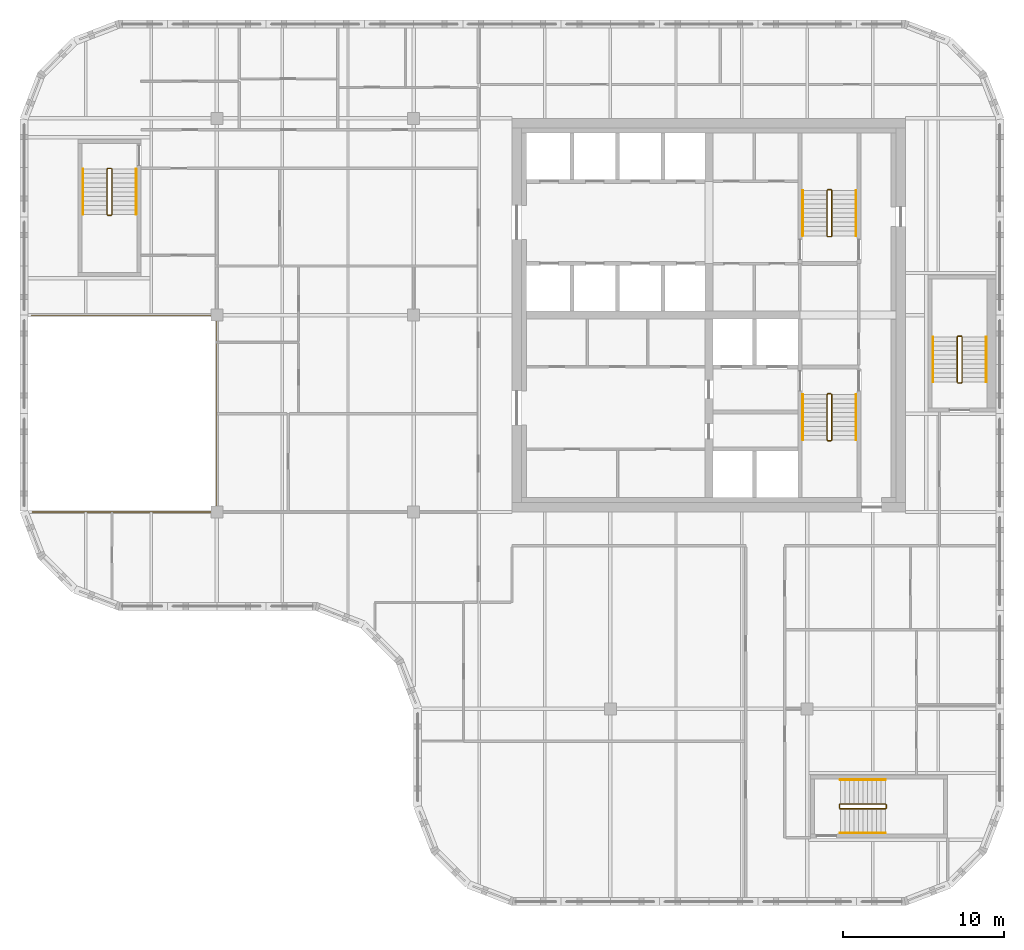
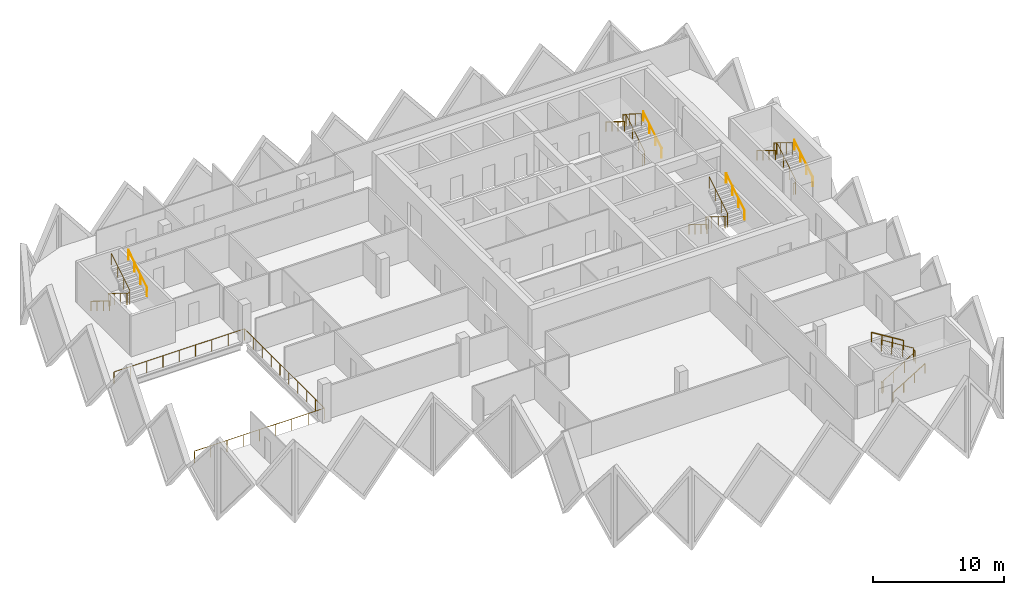
# One storey, part 11 of 11: 16 railings.
"""IFC4 building model written with IfcOpenShell, lengths in metres."""

from ifc_helpers import new_model, si_unit, direction, frame, origin, origin_2d, place, context, subcontext, project, spatial, circle, extrude, material, type_object, element, save


model = new_model("IFC4")

# Units and contexts
model_context = context("Model", 3, precision=1e-05, world=origin(), true_north=direction((0.0, 1.0)))
body_context = subcontext(model_context, "Body", "Model", "MODEL_VIEW")
ifc_project = project(units=[si_unit("LENGTHUNIT", "METRE"), si_unit("AREAUNIT", "SQUARE_METRE"), si_unit("VOLUMEUNIT", "CUBIC_METRE"), si_unit("PLANEANGLEUNIT", "RADIAN"), si_unit("MASSUNIT", "GRAM", prefix="KILO")], contexts=[model_context])

# Site, building, storey
site_placement = place(None, origin())
site = spatial("IfcSite", under=ifc_project, at=site_placement, CompositionType="ELEMENT")
building_placement = place(site_placement, origin())
building = spatial("IfcBuilding", under=site, at=building_placement, Name="Tessera Gate Towers", CompositionType="ELEMENT")
storey_placement = place(building_placement, frame((0.0, 0.0, 170.60009765625)))
storey = spatial("IfcBuildingStorey", under=building, at=storey_placement, Name="L42", CompositionType="ELEMENT", Elevation=170.60009765625)

# Railings
ifc_material_1 = material(Name="Toughened glass with stainless steel handrail", Category="steel")
railing_type_1 = type_object("IfcRailingType", Name="GUARD 1100 GLASS BALUSTRADE", PredefinedType="GUARDRAIL", material=ifc_material_1)
railing_1_placement = place(storey_placement, frame((0.750244140625, 24.39990234375, 0.0)))
element("IfcRailing", 1, at=railing_1_placement, inside=storey, type_object=railing_type_1, Name="Guard", PredefinedType="GUARDRAIL", context=body_context, shape_type="SweptSolid", body=[
    extrude(circle(Radius=0.02490234375, at=origin_2d()), frame((0.0, 0.0, 1.0751953125), z_axis=(1.0, 0.0, 0.0), x_axis=(0.0, 1.0, 0.0)), (0.0, 0.0, 1.0), 11.44970703125),
    extrude(circle(Radius=0.02490234375, at=origin_2d()), frame((11.44970703125, 0.0, 1.0751953125), z_axis=(0.0, 1.0, 0.0), x_axis=(-1.0, 0.0, 0.0)), (0.0, 0.0, 1.0), 12.2001953125),
    extrude(circle(Radius=0.02490234375, at=origin_2d()), frame((11.44970703125, 12.2001953125, 1.0751953125), z_axis=(-1.0, 0.0, 0.0), x_axis=(0.0, -1.0, 0.0)), (0.0, 0.0, 1.0), 11.5),
    extrude(circle(Radius=0.02490234375, at=origin_2d()), origin(), (0.0, 0.0, 1.0), 1.050048828125),
    extrude(circle(Radius=0.02490234375, at=origin_2d()), frame((1.43115234375, 0.0, 0.0)), (0.0, 0.0, 1.0), 1.050048828125),
    extrude(circle(Radius=0.02490234375, at=origin_2d()), frame((2.8623046875, 0.0, 0.0)), (0.0, 0.0, 1.0), 1.050048828125),
    extrude(circle(Radius=0.02490234375, at=origin_2d()), frame((4.293701171875, 0.0, 0.0)), (0.0, 0.0, 1.0), 1.050048828125),
    extrude(circle(Radius=0.02490234375, at=origin_2d()), frame((5.724853515625, 0.0, 0.0)), (0.0, 0.0, 1.0), 1.050048828125),
    extrude(circle(Radius=0.02490234375, at=origin_2d()), frame((7.156005859375, 0.0, 0.0)), (0.0, 0.0, 1.0), 1.050048828125),
    extrude(circle(Radius=0.02490234375, at=origin_2d()), frame((8.58740234375, 0.0, 0.0)), (0.0, 0.0, 1.0), 1.050048828125),
    extrude(circle(Radius=0.02490234375, at=origin_2d()), frame((10.0185546875, 0.0, 0.0)), (0.0, 0.0, 1.0), 1.050048828125),
    extrude(circle(Radius=0.02490234375, at=origin_2d()), frame((11.44970703125, 0.0, 0.0)), (0.0, 0.0, 1.0), 1.050048828125),
    extrude(circle(Radius=0.02490234375, at=origin_2d()), frame((11.44970703125, 1.35546875, 0.0)), (0.0, 0.0, 1.0), 1.050048828125),
    extrude(circle(Radius=0.02490234375, at=origin_2d()), frame((11.44970703125, 2.711181640625, 0.0)), (0.0, 0.0, 1.0), 1.050048828125),
    extrude(circle(Radius=0.02490234375, at=origin_2d()), frame((11.44970703125, 4.066650390625, 0.0)), (0.0, 0.0, 1.0), 1.050048828125),
    extrude(circle(Radius=0.02490234375, at=origin_2d()), frame((11.44970703125, 5.42236328125, 0.0)), (0.0, 0.0, 1.0), 1.050048828125),
    extrude(circle(Radius=0.02490234375, at=origin_2d()), frame((11.44970703125, 6.77783203125, 0.0)), (0.0, 0.0, 1.0), 1.050048828125),
    extrude(circle(Radius=0.02490234375, at=origin_2d()), frame((11.44970703125, 8.133544921875, 0.0)), (0.0, 0.0, 1.0), 1.050048828125),
    extrude(circle(Radius=0.02490234375, at=origin_2d()), frame((11.44970703125, 9.489013671875, 0.0)), (0.0, 0.0, 1.0), 1.050048828125),
    extrude(circle(Radius=0.02490234375, at=origin_2d()), frame((11.44970703125, 10.8447265625, 0.0)), (0.0, 0.0, 1.0), 1.050048828125),
    extrude(circle(Radius=0.02490234375, at=origin_2d()), frame((11.44970703125, 12.2001953125, 0.0)), (0.0, 0.0, 1.0), 1.050048828125),
    extrude(circle(Radius=0.02490234375, at=origin_2d()), frame((10.01220703125, 12.2001953125, 0.0)), (0.0, 0.0, 1.0), 1.050048828125),
    extrude(circle(Radius=0.02490234375, at=origin_2d()), frame((8.57470703125, 12.2001953125, 0.0)), (0.0, 0.0, 1.0), 1.050048828125),
    extrude(circle(Radius=0.02490234375, at=origin_2d()), frame((7.13720703125, 12.2001953125, 0.0)), (0.0, 0.0, 1.0), 1.050048828125),
    extrude(circle(Radius=0.02490234375, at=origin_2d()), frame((5.69970703125, 12.2001953125, 0.0)), (0.0, 0.0, 1.0), 1.050048828125),
    extrude(circle(Radius=0.02490234375, at=origin_2d()), frame((4.26220703125, 12.2001953125, 0.0)), (0.0, 0.0, 1.0), 1.050048828125),
    extrude(circle(Radius=0.02490234375, at=origin_2d()), frame((2.82470703125, 12.2001953125, 0.0)), (0.0, 0.0, 1.0), 1.050048828125),
    extrude(circle(Radius=0.02490234375, at=origin_2d()), frame((1.38720703125, 12.2001953125, 0.0)), (0.0, 0.0, 1.0), 1.050048828125),
    extrude(circle(Radius=0.02490234375, at=origin_2d()), frame((-0.05029296875, 12.2001953125, 0.0)), (0.0, 0.0, 1.0), 1.050048828125),
])
ifc_material_2 = material(Name="Steel 350W", Category="steel")
railing_type_2 = type_object("IfcRailingType", Name="STAIR GUARD 1100", PredefinedType="GUARDRAIL", material=ifc_material_2)
railing_2_placement = place(storey_placement, frame((50.27490234375, 31.72509765625, 0.0)))
element("IfcRailing", 2, at=railing_2_placement, inside=storey, type_object=railing_type_2, Name="L42 ST1 stair guard 1", PredefinedType="GUARDRAIL", context=body_context, shape_type="SweptSolid", body=[
    extrude(circle(Radius=0.02392578125, at=origin_2d()), frame((0.0, 0.0, 1.076171875), z_axis=(-1.0, 0.0, 0.0), x_axis=(0.0, -1.0, 0.0)), (0.0, 0.0, 1.0), 0.199951171875),
    extrude(circle(Radius=0.02392578125, at=origin_2d()), frame((-0.199951171875, 0.0, 1.076171875), z_axis=(-0.268277960024, -0.268277960024, 0.925231793839), x_axis=(0.707106781187, -0.707106781187, 0.0)), (0.0, 0.0, 1.0), 0.1865234375),
    extrude(circle(Radius=0.02392578125, at=origin_2d()), frame((-0.25, -0.050048828125, 1.24853515625), z_axis=(0.0, -0.851089632645, 0.525020415988), x_axis=(1.0, 0.0, 0.0)), (0.0, 0.0, 1.0), 3.2900390625),
    extrude(circle(Radius=0.02392578125, at=origin_2d()), frame((-0.25, -2.85009765625, 2.97607421875), z_axis=(0.707106781187, -0.707106781187, 0.0), x_axis=(0.707106781187, 0.707106781187, 0.0)), (0.0, 0.0, 1.0), 0.07080078125),
    extrude(circle(Radius=0.02392578125, at=origin_2d()), frame((-0.199951171875, -2.900146484375, 2.97607421875), z_axis=(1.0, 0.0, 0.0), x_axis=(0.0, 1.0, 0.0)), (0.0, 0.0, 1.0), 0.199951171875),
    extrude(circle(Radius=0.02392578125, at=origin_2d()), frame((0.0, -2.900146484375, 2.97607421875), z_axis=(0.268277960024, 0.268277960024, 0.925231793839), x_axis=(-0.707106781187, 0.707106781187, 0.0)), (0.0, 0.0, 1.0), 0.1865234375),
    extrude(circle(Radius=0.02392578125, at=origin_2d()), frame((0.050048828125, -2.85009765625, 3.1484375), z_axis=(0.0, 0.851089632645, 0.525020415988), x_axis=(-1.0, 0.0, 0.0)), (0.0, 0.0, 1.0), 3.2900390625),
    extrude(circle(Radius=0.02099609375, at=origin_2d()), origin(), (0.0, 0.0, 1.0), 1.052001953125),
    extrude(circle(Radius=0.02099609375, at=origin_2d()), frame((-0.199951171875, 0.0, 0.0)), (0.0, 0.0, 1.0), 1.052001953125),
    extrude(circle(Radius=0.02099609375, at=origin_2d()), frame((-0.25, -0.050048828125, 0.172607421875)), (0.0, 0.0, 1.0), 1.052001953125),
    extrude(circle(Radius=0.02099609375, at=origin_2d()), frame((-0.25, -0.9833984375, 0.748291015625)), (0.0, 0.0, 1.0), 1.052001953125),
    extrude(circle(Radius=0.02099609375, at=origin_2d()), frame((-0.25, -1.916748046875, 1.32421875)), (0.0, 0.0, 1.0), 1.052001953125),
    extrude(circle(Radius=0.02099609375, at=origin_2d()), frame((-0.25, -2.85009765625, 1.89990234375)), (0.0, 0.0, 1.0), 1.052001953125),
    extrude(circle(Radius=0.02099609375, at=origin_2d()), frame((-0.199951171875, -2.900146484375, 1.89990234375)), (0.0, 0.0, 1.0), 1.052001953125),
    extrude(circle(Radius=0.02099609375, at=origin_2d()), frame((0.0, -2.900146484375, 1.89990234375)), (0.0, 0.0, 1.0), 1.052001953125),
    extrude(circle(Radius=0.02099609375, at=origin_2d()), frame((0.050048828125, -2.85009765625, 2.072509765625)), (0.0, 0.0, 1.0), 1.052001953125),
    extrude(circle(Radius=0.02099609375, at=origin_2d()), frame((0.050048828125, -1.916748046875, 2.648193359375)), (0.0, 0.0, 1.0), 1.052001953125),
    extrude(circle(Radius=0.02099609375, at=origin_2d()), frame((0.050048828125, -0.9833984375, 3.22412109375)), (0.0, 0.0, 1.0), 1.052001953125),
    extrude(circle(Radius=0.02099609375, at=origin_2d()), frame((0.050048828125, -0.050048828125, 3.7998046875)), (0.0, 0.0, 1.0), 1.052001953125),
])
railing_3_placement = place(storey_placement, frame((50.074951171875, 41.47509765625, 0.0)))
element("IfcRailing", 3, at=railing_3_placement, inside=storey, type_object=railing_type_2, Name="L42 ST2 stair guard 1", PredefinedType="GUARDRAIL", context=body_context, shape_type="SweptSolid", body=[
    extrude(circle(Radius=0.02392578125, at=origin_2d()), frame((0.0, 0.0, 1.076171875), z_axis=(1.0, 0.0, 0.0), x_axis=(0.0, 1.0, 0.0)), (0.0, 0.0, 1.0), 0.199951171875),
    extrude(circle(Radius=0.02392578125, at=origin_2d()), frame((0.199951171875, 0.0, 1.076171875), z_axis=(0.268371968888, 0.267062837333, 0.925556009775), x_axis=(-0.705375805398, 0.708833529934, 0.0)), (0.0, 0.0, 1.0), 0.1865234375),
    extrude(circle(Radius=0.02392578125, at=origin_2d()), frame((0.25, 0.0498046875, 1.24853515625), z_axis=(0.0, 0.851089632645, 0.525020415988), x_axis=(-1.0, 0.0, 0.0)), (0.0, 0.0, 1.0), 3.2900390625),
    extrude(circle(Radius=0.02392578125, at=origin_2d()), frame((0.25, 2.849853515625, 2.97607421875), z_axis=(-0.707106781187, 0.707106781187, 0.0), x_axis=(-0.707106781187, -0.707106781187, 0.0)), (0.0, 0.0, 1.0), 0.07080078125),
    extrude(circle(Radius=0.02392578125, at=origin_2d()), frame((0.199951171875, 2.89990234375, 2.97607421875), z_axis=(-1.0, 0.0, 0.0), x_axis=(0.0, -1.0, 0.0)), (0.0, 0.0, 1.0), 0.199951171875),
    extrude(circle(Radius=0.02392578125, at=origin_2d()), frame((0.0, 2.89990234375, 2.97607421875), z_axis=(-0.268277960024, -0.268277960024, 0.925231793839), x_axis=(0.707106781187, -0.707106781187, 0.0)), (0.0, 0.0, 1.0), 0.1865234375),
    extrude(circle(Radius=0.02392578125, at=origin_2d()), frame((-0.050048828125, 2.849853515625, 3.1484375), z_axis=(0.0, -0.851089632645, 0.525020415988), x_axis=(1.0, 0.0, 0.0)), (0.0, 0.0, 1.0), 3.2900390625),
    extrude(circle(Radius=0.02099609375, at=origin_2d()), origin(), (0.0, 0.0, 1.0), 1.052001953125),
    extrude(circle(Radius=0.02099609375, at=origin_2d()), frame((0.199951171875, 0.0, 0.0)), (0.0, 0.0, 1.0), 1.052001953125),
    extrude(circle(Radius=0.02099609375, at=origin_2d()), frame((0.25, 0.0498046875, 0.172607421875)), (0.0, 0.0, 1.0), 1.052001953125),
    extrude(circle(Radius=0.02099609375, at=origin_2d()), frame((0.25, 0.983154296875, 0.748291015625)), (0.0, 0.0, 1.0), 1.052001953125),
    extrude(circle(Radius=0.02099609375, at=origin_2d()), frame((0.25, 1.91650390625, 1.32421875)), (0.0, 0.0, 1.0), 1.052001953125),
    extrude(circle(Radius=0.02099609375, at=origin_2d()), frame((0.25, 2.849853515625, 1.89990234375)), (0.0, 0.0, 1.0), 1.052001953125),
    extrude(circle(Radius=0.02099609375, at=origin_2d()), frame((0.199951171875, 2.89990234375, 1.89990234375)), (0.0, 0.0, 1.0), 1.052001953125),
    extrude(circle(Radius=0.02099609375, at=origin_2d()), frame((0.0, 2.89990234375, 1.89990234375)), (0.0, 0.0, 1.0), 1.052001953125),
    extrude(circle(Radius=0.02099609375, at=origin_2d()), frame((-0.050048828125, 2.849853515625, 2.072509765625)), (0.0, 0.0, 1.0), 1.052001953125),
    extrude(circle(Radius=0.02099609375, at=origin_2d()), frame((-0.050048828125, 1.91650390625, 2.648193359375)), (0.0, 0.0, 1.0), 1.052001953125),
    extrude(circle(Radius=0.02099609375, at=origin_2d()), frame((-0.050048828125, 0.983154296875, 3.22412109375)), (0.0, 0.0, 1.0), 1.052001953125),
    extrude(circle(Radius=0.02099609375, at=origin_2d()), frame((-0.050048828125, 0.0498046875, 3.7998046875)), (0.0, 0.0, 1.0), 1.052001953125),
])
railing_4_placement = place(storey_placement, frame((5.64990234375, 45.699951171875, 0.0)))
element("IfcRailing", 4, at=railing_4_placement, inside=storey, type_object=railing_type_2, Name="L42 ST3 stair guard 1", PredefinedType="GUARDRAIL", context=body_context, shape_type="SweptSolid", body=[
    extrude(circle(Radius=0.02392578125, at=origin_2d()), frame((0.0, 0.0, 1.076171875), z_axis=(-1.0, 0.0, 0.0), x_axis=(0.0, -1.0, 0.0)), (0.0, 0.0, 1.0), 0.199951171875),
    extrude(circle(Radius=0.02392578125, at=origin_2d()), frame((-0.199951171875, 0.0, 1.076171875), z_axis=(-0.268277960024, -0.268277960024, 0.925231793839), x_axis=(0.707106781187, -0.707106781187, 0.0)), (0.0, 0.0, 1.0), 0.1865234375),
    extrude(circle(Radius=0.02392578125, at=origin_2d()), frame((-0.25, -0.050048828125, 1.24853515625), z_axis=(0.0, -0.851069175582, 0.525053576669), x_axis=(1.0, 0.0, 0.0)), (0.0, 0.0, 1.0), 3.289794921875),
    extrude(circle(Radius=0.02392578125, at=origin_2d()), frame((-0.25, -2.849853515625, 2.97607421875), z_axis=(0.707106781187, -0.707106781187, 0.0), x_axis=(0.707106781187, 0.707106781187, 0.0)), (0.0, 0.0, 1.0), 0.07080078125),
    extrude(circle(Radius=0.02392578125, at=origin_2d()), frame((-0.199951171875, -2.89990234375, 2.97607421875), z_axis=(1.0, 0.0, 0.0), x_axis=(0.0, 1.0, 0.0)), (0.0, 0.0, 1.0), 0.199951171875),
    extrude(circle(Radius=0.02392578125, at=origin_2d()), frame((0.0, -2.89990234375, 2.97607421875), z_axis=(0.268277960024, 0.268277960024, 0.925231793839), x_axis=(-0.707106781187, 0.707106781187, 0.0)), (0.0, 0.0, 1.0), 0.1865234375),
    extrude(circle(Radius=0.02392578125, at=origin_2d()), frame((0.050048828125, -2.849853515625, 3.1484375), z_axis=(0.0, 0.851069175582, 0.525053576669), x_axis=(-1.0, 0.0, 0.0)), (0.0, 0.0, 1.0), 3.289794921875),
    extrude(circle(Radius=0.02099609375, at=origin_2d()), origin(), (0.0, 0.0, 1.0), 1.052001953125),
    extrude(circle(Radius=0.02099609375, at=origin_2d()), frame((-0.199951171875, 0.0, 0.0)), (0.0, 0.0, 1.0), 1.052001953125),
    extrude(circle(Radius=0.02099609375, at=origin_2d()), frame((-0.25, -0.050048828125, 0.172607421875)), (0.0, 0.0, 1.0), 1.052001953125),
    extrude(circle(Radius=0.02099609375, at=origin_2d()), frame((-0.25, -0.9833984375, 0.748291015625)), (0.0, 0.0, 1.0), 1.052001953125),
    extrude(circle(Radius=0.02099609375, at=origin_2d()), frame((-0.25, -1.91650390625, 1.32421875)), (0.0, 0.0, 1.0), 1.052001953125),
    extrude(circle(Radius=0.02099609375, at=origin_2d()), frame((-0.25, -2.849853515625, 1.89990234375)), (0.0, 0.0, 1.0), 1.052001953125),
    extrude(circle(Radius=0.02099609375, at=origin_2d()), frame((-0.199951171875, -2.89990234375, 1.89990234375)), (0.0, 0.0, 1.0), 1.052001953125),
    extrude(circle(Radius=0.02099609375, at=origin_2d()), frame((0.0, -2.89990234375, 1.89990234375)), (0.0, 0.0, 1.0), 1.052001953125),
    extrude(circle(Radius=0.02099609375, at=origin_2d()), frame((0.050048828125, -2.849853515625, 2.072509765625)), (0.0, 0.0, 1.0), 1.052001953125),
    extrude(circle(Radius=0.02099609375, at=origin_2d()), frame((0.050048828125, -1.91650390625, 2.648193359375)), (0.0, 0.0, 1.0), 1.052001953125),
    extrude(circle(Radius=0.02099609375, at=origin_2d()), frame((0.050048828125, -0.9833984375, 3.22412109375)), (0.0, 0.0, 1.0), 1.052001953125),
    extrude(circle(Radius=0.02099609375, at=origin_2d()), frame((0.050048828125, -0.050048828125, 3.7998046875)), (0.0, 0.0, 1.0), 1.052001953125),
])
railing_5_placement = place(storey_placement, frame((50.800048828125, 6.25, 0.0)))
element("IfcRailing", 5, at=railing_5_placement, inside=storey, type_object=railing_type_2, Name="L42 ST4 stair guard 1", PredefinedType="GUARDRAIL", context=body_context, shape_type="SweptSolid", body=[
    extrude(circle(Radius=0.02392578125, at=origin_2d()), frame((0.0, 0.0, 1.076171875), z_axis=(0.0, -1.0, 0.0), x_axis=(1.0, 0.0, 0.0)), (0.0, 0.0, 1.0), 0.199951171875),
    extrude(circle(Radius=0.02392578125, at=origin_2d()), frame((0.0, -0.199951171875, 1.076171875), z_axis=(0.268277960024, -0.268277960024, 0.925231793839), x_axis=(0.707106781187, 0.707106781187, 0.0)), (0.0, 0.0, 1.0), 0.1865234375),
    extrude(circle(Radius=0.02392578125, at=origin_2d()), frame((0.050048828125, -0.25, 1.24853515625), z_axis=(0.851069175582, 0.0, 0.525053576669), x_axis=(0.0, 1.0, 0.0)), (0.0, 0.0, 1.0), 3.289794921875),
    extrude(circle(Radius=0.02392578125, at=origin_2d()), frame((2.849853515625, -0.25, 2.97607421875), z_axis=(0.707106781187, 0.707106781187, 0.0), x_axis=(-0.707106781187, 0.707106781187, 0.0)), (0.0, 0.0, 1.0), 0.07080078125),
    extrude(circle(Radius=0.02392578125, at=origin_2d()), frame((2.89990234375, -0.199951171875, 2.97607421875), z_axis=(0.0, 1.0, 0.0), x_axis=(-1.0, 0.0, 0.0)), (0.0, 0.0, 1.0), 0.199951171875),
    extrude(circle(Radius=0.02392578125, at=origin_2d()), frame((2.89990234375, 0.0, 2.97607421875), z_axis=(-0.268277960024, 0.268277960024, 0.925231793839), x_axis=(-0.707106781187, -0.707106781187, 0.0)), (0.0, 0.0, 1.0), 0.1865234375),
    extrude(circle(Radius=0.02392578125, at=origin_2d()), frame((2.849853515625, 0.050048828125, 3.1484375), z_axis=(-0.851069175582, 0.0, 0.525053576669), x_axis=(0.0, -1.0, 0.0)), (0.0, 0.0, 1.0), 3.289794921875),
    extrude(circle(Radius=0.02099609375, at=origin_2d()), origin(), (0.0, 0.0, 1.0), 1.052001953125),
    extrude(circle(Radius=0.02099609375, at=origin_2d()), frame((0.0, -0.199951171875, 0.0)), (0.0, 0.0, 1.0), 1.052001953125),
    extrude(circle(Radius=0.02099609375, at=origin_2d()), frame((0.050048828125, -0.25, 0.172607421875)), (0.0, 0.0, 1.0), 1.052001953125),
    extrude(circle(Radius=0.02099609375, at=origin_2d()), frame((0.9833984375, -0.25, 0.748291015625)), (0.0, 0.0, 1.0), 1.052001953125),
    extrude(circle(Radius=0.02099609375, at=origin_2d()), frame((1.91650390625, -0.25, 1.32421875)), (0.0, 0.0, 1.0), 1.052001953125),
    extrude(circle(Radius=0.02099609375, at=origin_2d()), frame((2.849853515625, -0.25, 1.89990234375)), (0.0, 0.0, 1.0), 1.052001953125),
    extrude(circle(Radius=0.02099609375, at=origin_2d()), frame((2.89990234375, -0.199951171875, 1.89990234375)), (0.0, 0.0, 1.0), 1.052001953125),
    extrude(circle(Radius=0.02099609375, at=origin_2d()), frame((2.89990234375, 0.0, 1.89990234375)), (0.0, 0.0, 1.0), 1.052001953125),
    extrude(circle(Radius=0.02099609375, at=origin_2d()), frame((2.849853515625, 0.050048828125, 2.072509765625)), (0.0, 0.0, 1.0), 1.052001953125),
    extrude(circle(Radius=0.02099609375, at=origin_2d()), frame((1.91650390625, 0.050048828125, 2.648193359375)), (0.0, 0.0, 1.0), 1.052001953125),
    extrude(circle(Radius=0.02099609375, at=origin_2d()), frame((0.9833984375, 0.050048828125, 3.22412109375)), (0.0, 0.0, 1.0), 1.052001953125),
    extrude(circle(Radius=0.02099609375, at=origin_2d()), frame((0.050048828125, 0.050048828125, 3.7998046875)), (0.0, 0.0, 1.0), 1.052001953125),
])
railing_6_placement = place(storey_placement, frame((58.14990234375, 32.39990234375, 0.0)))
element("IfcRailing", 6, at=railing_6_placement, inside=storey, type_object=railing_type_2, Name="L42 ST5 stair guard 1", PredefinedType="GUARDRAIL", context=body_context, shape_type="SweptSolid", body=[
    extrude(circle(Radius=0.02392578125, at=origin_2d()), frame((0.0, 0.0, 1.076171875), z_axis=(1.0, 0.0, 0.0), x_axis=(0.0, 1.0, 0.0)), (0.0, 0.0, 1.0), 0.2001953125),
    extrude(circle(Radius=0.02392578125, at=origin_2d()), frame((0.2001953125, 0.0, 1.076171875), z_axis=(0.267062837333, 0.268371968888, 0.925556009775), x_axis=(-0.708833529934, 0.705375805398, 0.0)), (0.0, 0.0, 1.0), 0.1865234375),
    extrude(circle(Radius=0.02392578125, at=origin_2d()), frame((0.25, 0.050048828125, 1.24853515625), z_axis=(0.0, 0.851089632645, 0.525020415988), x_axis=(-1.0, 0.0, 0.0)), (0.0, 0.0, 1.0), 3.2900390625),
    extrude(circle(Radius=0.02392578125, at=origin_2d()), frame((0.25, 2.85009765625, 2.97607421875), z_axis=(-0.705375805398, 0.708833529934, 0.0), x_axis=(-0.708833529934, -0.705375805398, 0.0)), (0.0, 0.0, 1.0), 0.070556640625),
    extrude(circle(Radius=0.02392578125, at=origin_2d()), frame((0.2001953125, 2.900146484375, 2.97607421875), z_axis=(-1.0, 0.0, 0.0), x_axis=(0.0, -1.0, 0.0)), (0.0, 0.0, 1.0), 0.2001953125),
    extrude(circle(Radius=0.02392578125, at=origin_2d()), frame((0.0, 2.900146484375, 2.97607421875), z_axis=(-0.267062837333, -0.268371968888, 0.925556009775), x_axis=(0.708833529934, -0.705375805398, 0.0)), (0.0, 0.0, 1.0), 0.1865234375),
    extrude(circle(Radius=0.02392578125, at=origin_2d()), frame((-0.0498046875, 2.85009765625, 3.1484375), z_axis=(0.0, -0.851089632645, 0.525020415988), x_axis=(1.0, 0.0, 0.0)), (0.0, 0.0, 1.0), 3.2900390625),
    extrude(circle(Radius=0.02099609375, at=origin_2d()), origin(), (0.0, 0.0, 1.0), 1.052001953125),
    extrude(circle(Radius=0.02099609375, at=origin_2d()), frame((0.2001953125, 0.0, 0.0)), (0.0, 0.0, 1.0), 1.052001953125),
    extrude(circle(Radius=0.02099609375, at=origin_2d()), frame((0.25, 0.050048828125, 0.172607421875)), (0.0, 0.0, 1.0), 1.052001953125),
    extrude(circle(Radius=0.02099609375, at=origin_2d()), frame((0.25, 0.9833984375, 0.748291015625)), (0.0, 0.0, 1.0), 1.052001953125),
    extrude(circle(Radius=0.02099609375, at=origin_2d()), frame((0.25, 1.916748046875, 1.32421875)), (0.0, 0.0, 1.0), 1.052001953125),
    extrude(circle(Radius=0.02099609375, at=origin_2d()), frame((0.25, 2.85009765625, 1.89990234375)), (0.0, 0.0, 1.0), 1.052001953125),
    extrude(circle(Radius=0.02099609375, at=origin_2d()), frame((0.2001953125, 2.900146484375, 1.89990234375)), (0.0, 0.0, 1.0), 1.052001953125),
    extrude(circle(Radius=0.02099609375, at=origin_2d()), frame((0.0, 2.900146484375, 1.89990234375)), (0.0, 0.0, 1.0), 1.052001953125),
    extrude(circle(Radius=0.02099609375, at=origin_2d()), frame((-0.0498046875, 2.85009765625, 2.072509765625)), (0.0, 0.0, 1.0), 1.052001953125),
    extrude(circle(Radius=0.02099609375, at=origin_2d()), frame((-0.0498046875, 1.916748046875, 2.648193359375)), (0.0, 0.0, 1.0), 1.052001953125),
    extrude(circle(Radius=0.02099609375, at=origin_2d()), frame((-0.0498046875, 0.9833984375, 3.22412109375)), (0.0, 0.0, 1.0), 1.052001953125),
    extrude(circle(Radius=0.02099609375, at=origin_2d()), frame((-0.0498046875, 0.050048828125, 3.7998046875)), (0.0, 0.0, 1.0), 1.052001953125),
])
ifc_material_3 = material(Name="Steel 350W", Category="steel")
railing_type_3 = type_object("IfcRailingType", Name="STAIR HANDRAIL 900", PredefinedType="HANDRAIL", material=ifc_material_3)
railing_7_placement = place(storey_placement, frame((48.52490234375, 31.675048828125, 0.172607421875)))
element("IfcRailing", 7, at=railing_7_placement, inside=storey, type_object=railing_type_3, Name="L42 ST1 stair handrail 1", PredefinedType="HANDRAIL", context=body_context, shape_type="SweptSolid", body=[
    extrude(circle(Radius=0.02392578125, at=origin_2d()), frame((0.0, 0.0, 0.8759765625), z_axis=(0.0, -0.851089632645, 0.525020415988), x_axis=(1.0, 0.0, 0.0)), (0.0, 0.0, 1.0), 3.2900390625),
    extrude(circle(Radius=0.02099609375, at=origin_2d()), origin(), (0.0, 0.0, 1.0), 0.851806640625),
    extrude(circle(Radius=0.02099609375, at=origin_2d()), frame((0.0, -0.933349609375, 0.57568359375)), (0.0, 0.0, 1.0), 0.851806640625),
    extrude(circle(Radius=0.02099609375, at=origin_2d()), frame((0.0, -1.86669921875, 1.151611328125)), (0.0, 0.0, 1.0), 0.851806640625),
    extrude(circle(Radius=0.02099609375, at=origin_2d()), frame((0.0, -2.800048828125, 1.727294921875)), (0.0, 0.0, 1.0), 0.851806640625),
])
for number, where, name in (
    (8, (51.824951171875, 28.875, 2.072509765625), "L42 ST1 stair handrail 2"),
    (9, (51.824951171875, 41.52490234375, 0.172607421875), "L42 ST2 stair handrail 1"),
):
    element("IfcRailing", number, at=place(storey_placement, frame(where)), inside=storey, type_object=railing_type_3, Name=name, PredefinedType="HANDRAIL", context=body_context, shape_type="SweptSolid", body=[
        extrude(circle(Radius=0.02392578125, at=origin_2d()), frame((0.0, 0.0, 0.8759765625), z_axis=(0.0, 0.851089632645, 0.525020415988), x_axis=(-1.0, 0.0, 0.0)), (0.0, 0.0, 1.0), 3.2900390625),
        extrude(circle(Radius=0.02099609375, at=origin_2d()), origin(), (0.0, 0.0, 1.0), 0.851806640625),
        extrude(circle(Radius=0.02099609375, at=origin_2d()), frame((0.0, 0.933349609375, 0.57568359375)), (0.0, 0.0, 1.0), 0.851806640625),
        extrude(circle(Radius=0.02099609375, at=origin_2d()), frame((0.0, 1.86669921875, 1.151611328125)), (0.0, 0.0, 1.0), 0.851806640625),
        extrude(circle(Radius=0.02099609375, at=origin_2d()), frame((0.0, 2.800048828125, 1.727294921875)), (0.0, 0.0, 1.0), 0.851806640625),
    ])
railing_8_placement = place(storey_placement, frame((48.52490234375, 44.324951171875, 2.072509765625)))
element("IfcRailing", 10, at=railing_8_placement, inside=storey, type_object=railing_type_3, Name="L42 ST2 stair handrail 2", PredefinedType="HANDRAIL", context=body_context, shape_type="SweptSolid", body=[
    extrude(circle(Radius=0.02392578125, at=origin_2d()), frame((0.0, 0.0, 0.8759765625), z_axis=(0.0, -0.851089632645, 0.525020415988), x_axis=(1.0, 0.0, 0.0)), (0.0, 0.0, 1.0), 3.2900390625),
    extrude(circle(Radius=0.02099609375, at=origin_2d()), origin(), (0.0, 0.0, 1.0), 0.851806640625),
    extrude(circle(Radius=0.02099609375, at=origin_2d()), frame((0.0, -0.933349609375, 0.57568359375)), (0.0, 0.0, 1.0), 0.851806640625),
    extrude(circle(Radius=0.02099609375, at=origin_2d()), frame((0.0, -1.86669921875, 1.151611328125)), (0.0, 0.0, 1.0), 0.851806640625),
    extrude(circle(Radius=0.02099609375, at=origin_2d()), frame((0.0, -2.800048828125, 1.727294921875)), (0.0, 0.0, 1.0), 0.851806640625),
])
railing_9_placement = place(storey_placement, frame((3.89990234375, 45.64990234375, 0.172607421875)))
element("IfcRailing", 11, at=railing_9_placement, inside=storey, type_object=railing_type_3, Name="L42 ST3 stair handrail 1", PredefinedType="HANDRAIL", context=body_context, shape_type="SweptSolid", body=[
    extrude(circle(Radius=0.02392578125, at=origin_2d()), frame((0.0, 0.0, 0.8759765625), z_axis=(0.0, -0.851069175582, 0.525053576669), x_axis=(1.0, 0.0, 0.0)), (0.0, 0.0, 1.0), 3.289794921875),
    extrude(circle(Radius=0.02099609375, at=origin_2d()), origin(), (0.0, 0.0, 1.0), 0.851806640625),
    extrude(circle(Radius=0.02099609375, at=origin_2d()), frame((0.0, -0.933349609375, 0.57568359375)), (0.0, 0.0, 1.0), 0.851806640625),
    extrude(circle(Radius=0.02099609375, at=origin_2d()), frame((0.0, -1.866455078125, 1.151611328125)), (0.0, 0.0, 1.0), 0.851806640625),
    extrude(circle(Radius=0.02099609375, at=origin_2d()), frame((0.0, -2.7998046875, 1.727294921875)), (0.0, 0.0, 1.0), 0.851806640625),
])
railing_10_placement = place(storey_placement, frame((7.199951171875, 42.85009765625, 2.072509765625)))
element("IfcRailing", 12, at=railing_10_placement, inside=storey, type_object=railing_type_3, Name="L42 ST3 stair handrail 2", PredefinedType="HANDRAIL", context=body_context, shape_type="SweptSolid", body=[
    extrude(circle(Radius=0.02392578125, at=origin_2d()), frame((0.0, 0.0, 0.8759765625), z_axis=(0.0, 0.851069175582, 0.525053576669), x_axis=(-1.0, 0.0, 0.0)), (0.0, 0.0, 1.0), 3.289794921875),
    extrude(circle(Radius=0.02099609375, at=origin_2d()), origin(), (0.0, 0.0, 1.0), 0.851806640625),
    extrude(circle(Radius=0.02099609375, at=origin_2d()), frame((0.0, 0.933349609375, 0.57568359375)), (0.0, 0.0, 1.0), 0.851806640625),
    extrude(circle(Radius=0.02099609375, at=origin_2d()), frame((0.0, 1.866455078125, 1.151611328125)), (0.0, 0.0, 1.0), 0.851806640625),
    extrude(circle(Radius=0.02099609375, at=origin_2d()), frame((0.0, 2.7998046875, 1.727294921875)), (0.0, 0.0, 1.0), 0.851806640625),
])
railing_11_placement = place(storey_placement, frame((50.85009765625, 4.5, 0.172607421875)))
element("IfcRailing", 13, at=railing_11_placement, inside=storey, type_object=railing_type_3, Name="L42 ST4 stair handrail 1", PredefinedType="HANDRAIL", context=body_context, shape_type="SweptSolid", body=[
    extrude(circle(Radius=0.02392578125, at=origin_2d()), frame((0.0, 0.0, 0.8759765625), z_axis=(0.851069175582, 0.0, 0.525053576669), x_axis=(0.0, 1.0, 0.0)), (0.0, 0.0, 1.0), 3.289794921875),
    extrude(circle(Radius=0.02099609375, at=origin_2d()), origin(), (0.0, 0.0, 1.0), 0.851806640625),
    extrude(circle(Radius=0.02099609375, at=origin_2d()), frame((0.933349609375, 0.0, 0.57568359375)), (0.0, 0.0, 1.0), 0.851806640625),
    extrude(circle(Radius=0.02099609375, at=origin_2d()), frame((1.866455078125, 0.0, 1.151611328125)), (0.0, 0.0, 1.0), 0.851806640625),
    extrude(circle(Radius=0.02099609375, at=origin_2d()), frame((2.7998046875, 0.0, 1.727294921875)), (0.0, 0.0, 1.0), 0.851806640625),
])
railing_12_placement = place(storey_placement, frame((53.64990234375, 7.800048828125, 2.072509765625)))
element("IfcRailing", 14, at=railing_12_placement, inside=storey, type_object=railing_type_3, Name="L42 ST4 stair handrail 2", PredefinedType="HANDRAIL", context=body_context, shape_type="SweptSolid", body=[
    extrude(circle(Radius=0.02392578125, at=origin_2d()), frame((0.0, 0.0, 0.8759765625), z_axis=(-0.851069175582, 0.0, 0.525053576669), x_axis=(0.0, -1.0, 0.0)), (0.0, 0.0, 1.0), 3.289794921875),
    extrude(circle(Radius=0.02099609375, at=origin_2d()), origin(), (0.0, 0.0, 1.0), 0.851806640625),
    extrude(circle(Radius=0.02099609375, at=origin_2d()), frame((-0.933349609375, 0.0, 0.57568359375)), (0.0, 0.0, 1.0), 0.851806640625),
    extrude(circle(Radius=0.02099609375, at=origin_2d()), frame((-1.866455078125, 0.0, 1.151611328125)), (0.0, 0.0, 1.0), 0.851806640625),
    extrude(circle(Radius=0.02099609375, at=origin_2d()), frame((-2.7998046875, 0.0, 1.727294921875)), (0.0, 0.0, 1.0), 0.851806640625),
])
railing_13_placement = place(storey_placement, frame((59.89990234375, 32.449951171875, 0.172607421875)))
element("IfcRailing", 15, at=railing_13_placement, inside=storey, type_object=railing_type_3, Name="L42 ST5 stair handrail 1", PredefinedType="HANDRAIL", context=body_context, shape_type="SweptSolid", body=[
    extrude(circle(Radius=0.02392578125, at=origin_2d()), frame((0.0, 0.0, 0.8759765625), z_axis=(0.0, 0.851089632645, 0.525020415988), x_axis=(-1.0, 0.0, 0.0)), (0.0, 0.0, 1.0), 3.2900390625),
    extrude(circle(Radius=0.02099609375, at=origin_2d()), origin(), (0.0, 0.0, 1.0), 0.851806640625),
    extrude(circle(Radius=0.02099609375, at=origin_2d()), frame((0.0, 0.933349609375, 0.57568359375)), (0.0, 0.0, 1.0), 0.851806640625),
    extrude(circle(Radius=0.02099609375, at=origin_2d()), frame((0.0, 1.86669921875, 1.151611328125)), (0.0, 0.0, 1.0), 0.851806640625),
    extrude(circle(Radius=0.02099609375, at=origin_2d()), frame((0.0, 2.800048828125, 1.727294921875)), (0.0, 0.0, 1.0), 0.851806640625),
])
railing_14_placement = place(storey_placement, frame((56.60009765625, 35.25, 2.072509765625)))
element("IfcRailing", 16, at=railing_14_placement, inside=storey, type_object=railing_type_3, Name="L42 ST5 stair handrail 2", PredefinedType="HANDRAIL", context=body_context, shape_type="SweptSolid", body=[
    extrude(circle(Radius=0.02392578125, at=origin_2d()), frame((0.0, 0.0, 0.8759765625), z_axis=(0.0, -0.851089632645, 0.525020415988), x_axis=(1.0, 0.0, 0.0)), (0.0, 0.0, 1.0), 3.2900390625),
    extrude(circle(Radius=0.02099609375, at=origin_2d()), origin(), (0.0, 0.0, 1.0), 0.851806640625),
    extrude(circle(Radius=0.02099609375, at=origin_2d()), frame((0.0, -0.933349609375, 0.57568359375)), (0.0, 0.0, 1.0), 0.851806640625),
    extrude(circle(Radius=0.02099609375, at=origin_2d()), frame((0.0, -1.86669921875, 1.151611328125)), (0.0, 0.0, 1.0), 0.851806640625),
    extrude(circle(Radius=0.02099609375, at=origin_2d()), frame((0.0, -2.800048828125, 1.727294921875)), (0.0, 0.0, 1.0), 0.851806640625),
])

save(model, "model.ifc")
